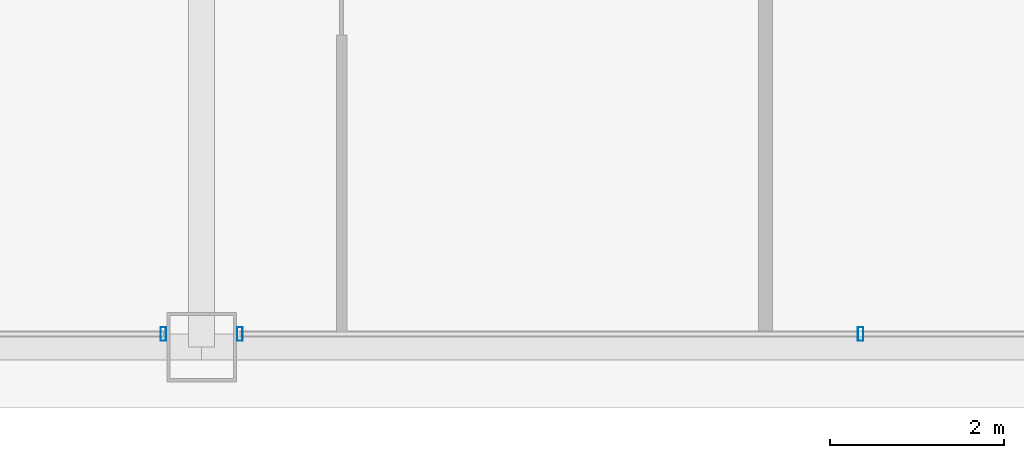
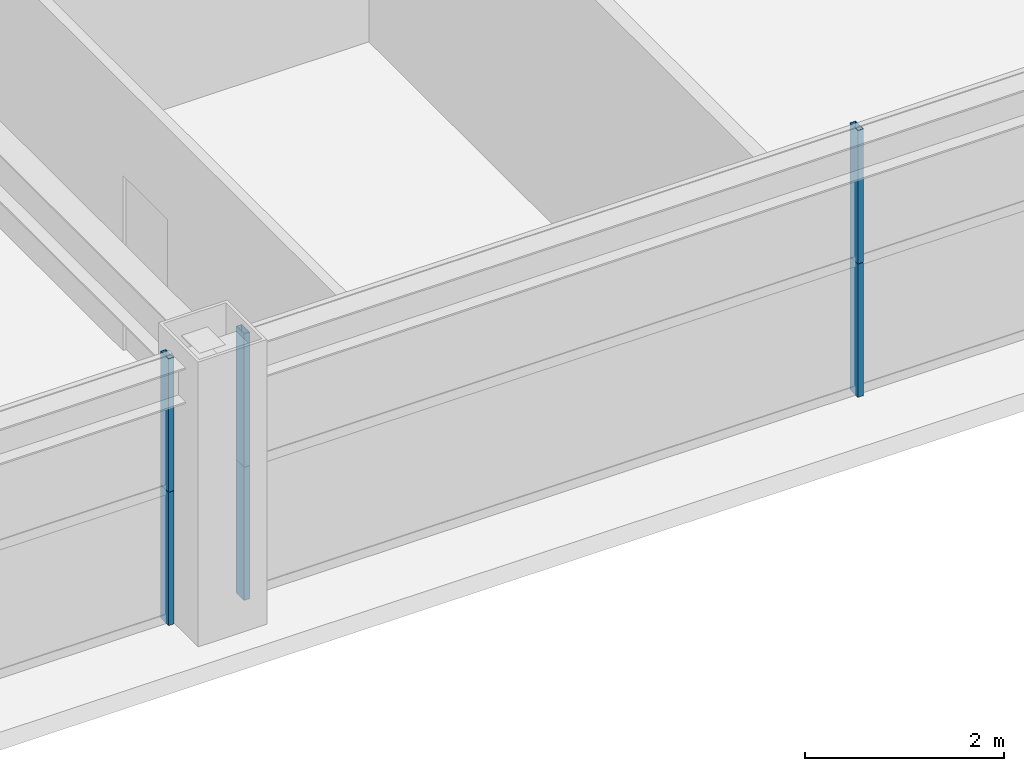
# One storey, part 10 of 38: 6 members, 2 elements without a shape of their own.
"""IFC4 building model written with IfcOpenShell, lengths in metres."""

from ifc_helpers import new_model, si_unit, direction, frame, origin, origin_2d, place, context, subcontext, project, spatial, hollow_rectangle, extrude, source, transform, mapped, material, layer, layer_set, material_profile, profile_set, type_object, element, aggregate, save


model = new_model("IFC4")

# Units and contexts
model_context = context("Model", 3, precision=1e-05, world=origin(), true_north=direction((0.0, 1.0)))
body_context = subcontext(model_context, "Body", "Model", "MODEL_VIEW")
ifc_project = project(units=[si_unit("LENGTHUNIT", "METRE"), si_unit("AREAUNIT", "SQUARE_METRE"), si_unit("VOLUMEUNIT", "CUBIC_METRE"), si_unit("PLANEANGLEUNIT", "RADIAN"), si_unit("MASSUNIT", "GRAM", prefix="KILO"), si_unit("THERMODYNAMICTEMPERATUREUNIT", "KELVIN"), si_unit("POWERUNIT", "WATT")], contexts=[model_context])

# Site, building, storey
site_placement = place(None, origin())
site = spatial("IfcSite", under=ifc_project, at=site_placement, CompositionType="ELEMENT")
building_placement = place(site_placement, origin())
building = spatial("IfcBuilding", under=site, at=building_placement, Name="Yuzanri Waterfront Tower", CompositionType="ELEMENT")
storey_placement = place(building_placement, frame((0.0, 0.0, 209.0)))
storey = spatial("IfcBuildingStorey", under=building, at=storey_placement, Name="L55", CompositionType="ELEMENT", Elevation=209.0)

# Curtain wall, members
ifc_material_1 = material(Name="Anodized Architectural Bronze", Category="metal")
ifc_layer = layer(ifc_material_1, 0.159912109375)
ifc_layer_set = layer_set([ifc_layer], Name="Anodized Architectural Bronze")
curtain_wall_type = type_object("IfcCurtainWallType", Name="Anodized Bronze Mid-Rise Residential Acoustic Unitized Curtain Wall 7200", PredefinedType="NOTDEFINED", material=ifc_layer_set)
curtain_wall_1_placement = place(storey_placement, origin())
curtain_wall_1 = element("IfcCurtainWall", 1, at=curtain_wall_1_placement, inside=storey, type_object=curtain_wall_type, Name="L55 Curtain Wall CW-L55-SL", PredefinedType="NOTDEFINED")
ifc_material_2 = material(Name="Anodized Architectural Bronze", Category="metal")
ifc_material_profile = material_profile(ifc_material_2, hollow_rectangle(XDim=0.06494140625, YDim=0.159912109375, WallThickness=0.00341796875, at=origin_2d()), Name="CWM 65x160")
ifc_profile_set = profile_set([ifc_material_profile], Name="Anodized Architectural Bronze")
member_type = type_object("IfcMemberType", Name="Anodized Bronze Upper-Zone Curtain-Wall Mullion 65x160", PredefinedType="MULLION", material=ifc_profile_set)
shared_shape = source(origin(), body_context, "Body", "SweptSolid", [
    extrude(hollow_rectangle(XDim=0.06494140625, YDim=0.159912109375, WallThickness=0.00341796875, at=origin_2d()), origin(), (0.0, 0.0, 1.0), 1.637939453125),
])
member_1_placement = place(storey_placement, frame((36.56005859375, 3.85009765625, 0.0), z_axis=(0.0, 0.0, 1.0), x_axis=(1.0, 0.0, 0.0)))
member_1 = element("IfcMember", 2, at=member_1_placement, type_object=member_type, Name="CW-L55-SL Lower Mullion 02", PredefinedType="MULLION", context=body_context, shape_type="MappedRepresentation", body=[
    mapped(shared_shape, transform((0.0, 0.0, 0.0), scale=1.0)),
])
member_2_placement = place(storey_placement, frame((36.56005859375, 3.85009765625, 1.64208984375), z_axis=(0.0, 0.0, 1.0), x_axis=(1.0, 0.0, 0.0)))
member_2 = element("IfcMember", 3, at=member_2_placement, type_object=member_type, Name="CW-L55-SL Upper Mullion 02", PredefinedType="MULLION", context=body_context, shape_type="MappedRepresentation", body=[
    mapped(shared_shape, transform((0.0, 0.0, 0.0), scale=1.0)),
])
aggregate(curtain_wall_1, [member_1, member_2])

curtain_wall_2_placement = place(storey_placement, origin())
curtain_wall_2 = element("IfcCurtainWall", 4, at=curtain_wall_2_placement, inside=storey, type_object=curtain_wall_type, Name="L55 Curtain Wall CW-L55-SR", PredefinedType="NOTDEFINED")
member_3_placement = place(storey_placement, frame((37.43994140625, 3.85009765625, 0.0), z_axis=(0.0, 0.0, 1.0), x_axis=(1.0, 0.0, 0.0)))
member_3 = element("IfcMember", 5, at=member_3_placement, type_object=member_type, Name="CW-L55-SR Lower Mullion 00", PredefinedType="MULLION", context=body_context, shape_type="MappedRepresentation", body=[
    mapped(shared_shape, transform((0.0, 0.0, 0.0), scale=1.0)),
])
member_4_placement = place(storey_placement, frame((37.43994140625, 3.85009765625, 1.64208984375), z_axis=(0.0, 0.0, 1.0), x_axis=(1.0, 0.0, 0.0)))
member_4 = element("IfcMember", 6, at=member_4_placement, type_object=member_type, Name="CW-L55-SR Upper Mullion 00", PredefinedType="MULLION", context=body_context, shape_type="MappedRepresentation", body=[
    mapped(shared_shape, transform((0.0, 0.0, 0.0), scale=1.0)),
])
member_5_placement = place(storey_placement, frame((44.574951171875, 3.85009765625, 0.0), z_axis=(0.0, 0.0, 1.0), x_axis=(1.0, 0.0, 0.0)))
member_5 = element("IfcMember", 7, at=member_5_placement, type_object=member_type, Name="CW-L55-SR Lower Mullion 01", PredefinedType="MULLION", context=body_context, shape_type="MappedRepresentation", body=[
    mapped(shared_shape, transform((0.0, 0.0, 0.0), scale=1.0)),
])
member_6_placement = place(storey_placement, frame((44.574951171875, 3.85009765625, 1.64208984375), z_axis=(0.0, 0.0, 1.0), x_axis=(1.0, 0.0, 0.0)))
member_6 = element("IfcMember", 8, at=member_6_placement, type_object=member_type, Name="CW-L55-SR Upper Mullion 01", PredefinedType="MULLION", context=body_context, shape_type="MappedRepresentation", body=[
    mapped(shared_shape, transform((0.0, 0.0, 0.0), scale=1.0)),
])
aggregate(curtain_wall_2, [member_3, member_4, member_5, member_6])

save(model, "model.ifc")
